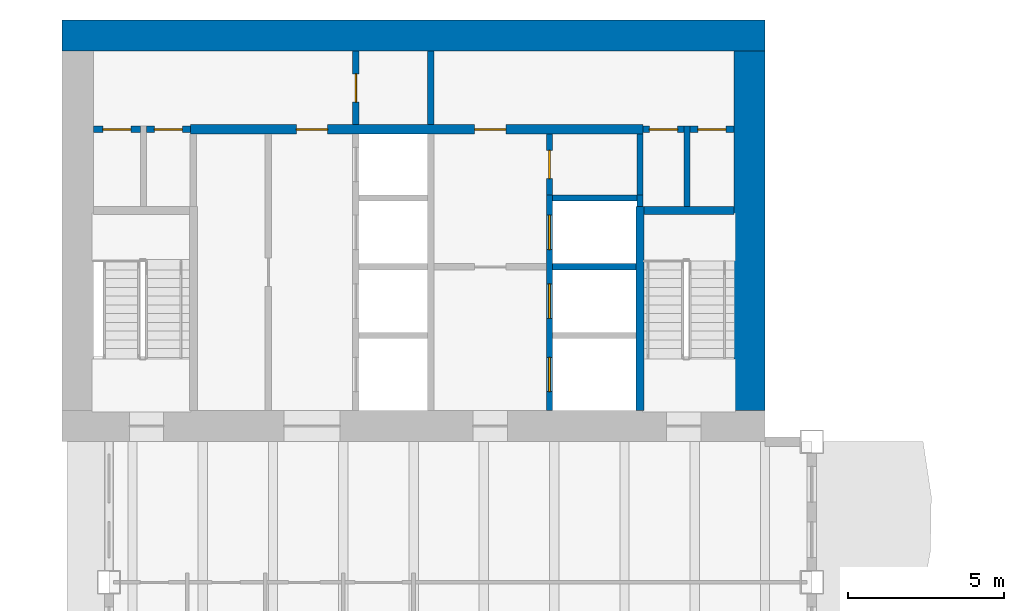
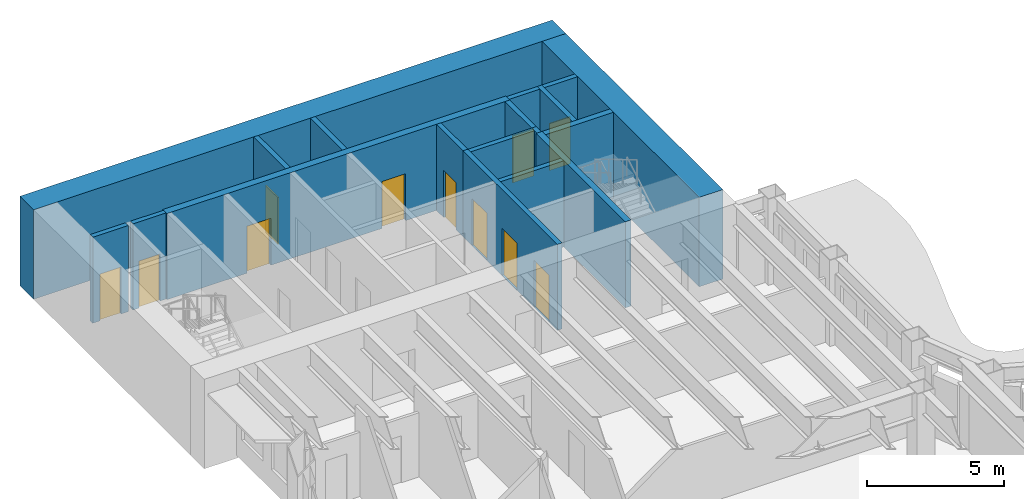
# One storey, part 9 of 16: 18 walls, 11 doors, 11 openings.
"""IFC4 building model written with IfcOpenShell, lengths in metres."""

from ifc_helpers import new_model, si_unit, direction, frame, frame_2d, origin, place, context, subcontext, project, spatial, rectangle, extrude, material, layer, layer_set, type_object, element, fill, save


model = new_model("IFC4")

# Units and contexts
model_context = context("Model", 3, precision=1e-05, world=origin(), true_north=direction((0.0, 1.0)))
body_context = subcontext(model_context, "Body", "Model", "MODEL_VIEW")
ifc_project = project(units=[si_unit("LENGTHUNIT", "METRE"), si_unit("AREAUNIT", "SQUARE_METRE"), si_unit("VOLUMEUNIT", "CUBIC_METRE"), si_unit("PLANEANGLEUNIT", "RADIAN"), si_unit("MASSUNIT", "GRAM", prefix="KILO")], contexts=[model_context])

# Site, building, storey
site_placement = place(None, origin())
site = spatial("IfcSite", under=ifc_project, at=site_placement, CompositionType="ELEMENT")
building_placement = place(site_placement, origin())
building = spatial("IfcBuilding", under=site, at=building_placement, Name="Sennacour Bend Tower", CompositionType="ELEMENT")
storey_placement = place(building_placement, frame((0.0, 0.0, 223.0)))
storey = spatial("IfcBuildingStorey", under=building, at=storey_placement, Name="L51", CompositionType="ELEMENT", Elevation=223.0)

# Walls
ifc_material_1 = material(Name="Concrete C60/75", Category="concrete")
ifc_layer_1 = layer(ifc_material_1, 1.0, Name="Concrete C60/75", Category="concrete")
ifc_layer_set_1 = layer_set([ifc_layer_1], Name="Concrete C60/75")
wall_type_1 = type_object("IfcWallType", Name="Core wall 1000 C60/75", PredefinedType="SHEAR", material=ifc_layer_set_1)
wall_1_placement = place(storey_placement, frame((0.0, 49.0, -0.14990234375), z_axis=(0.0, 0.0, 1.0), x_axis=(1.0, 0.0, 0.0)))
element("IfcWall", 1, at=wall_1_placement, inside=storey, type_object=wall_type_1, Name="Core B wall L51 N", PredefinedType="SHEAR", context=body_context, shape_type="SweptSolid", body=[
    extrude(rectangle(XDim=22.5, YDim=1.0, at=frame_2d((11.25, 0.0))), origin(), (0.0, 0.0, 1.0), 4.0),
])
wall_2_placement = place(storey_placement, frame((22.0, 37.0, -0.14990234375), z_axis=(0.0, 0.0, 1.0), x_axis=(0.0, 1.0, 0.0)))
element("IfcWall", 2, at=wall_2_placement, inside=storey, type_object=wall_type_1, Name="Core B wall L51 E", PredefinedType="SHEAR", context=body_context, shape_type="SweptSolid", body=[
    extrude(rectangle(XDim=11.5, YDim=1.0, at=frame_2d((5.75, 0.0))), origin(), (0.0, 0.0, 1.0), 4.0),
])

# Wall, opening, door
ifc_material_2 = material(Name="Fire-rated plasterboard partition on steel studs", Category="steel")
ifc_layer_2 = layer(ifc_material_2, 0.199951171875, Name="Fire-rated plasterboard partition on steel studs", Category="steel")
ifc_layer_set_2 = layer_set([ifc_layer_2], Name="Fire-rated plasterboard partition on steel studs")
wall_type_2 = type_object("IfcWallType", Name="Rated partition 200", PredefinedType="PARTITIONING", material=ifc_layer_set_2)
wall_3_placement = place(storey_placement, frame((9.39990234375, 46.14990234375, 0.0), z_axis=(0.0, 0.0, 1.0), x_axis=(0.0, 1.0, 0.0)))
wall_3 = element("IfcWall", 3, at=wall_3_placement, inside=storey, type_object=wall_type_2, Name="P-L51-W013", PredefinedType="PARTITIONING", context=body_context, shape_type="SweptSolid", body=[
    extrude(rectangle(XDim=2.35009765625, YDim=0.199951171875, at=frame_2d((1.175048828125, 0.0))), origin(), (0.0, 0.0, 1.0), 3.85009765625),
])
opening_1_placement = place(wall_3_placement, frame((0.72509765625, 0.0, 0.0)))
opening_1 = element("IfcOpeningElement", 4, at=opening_1_placement, cuts=wall_3, Name="Opening SV", PredefinedType="OPENING", context=body_context, shape_type="SweptSolid", body=[
    extrude(rectangle(XDim=0.89990234375, YDim=2.10009765625, at=frame_2d((0.449951171875, 1.050048828125))), frame((0.0, 0.10986328125, 0.0), z_axis=(0.0, -1.0, 0.0), x_axis=(1.0, 0.0, 0.0)), (0.0, 0.0, 1.0), 0.219970703125),
])
ifc_material_3 = material(Name="Painted steel", Category="steel")
door_type_1 = type_object("IfcDoorType", Name="DR-SERVICE-900", OperationType="NOTDEFINED", PredefinedType="DOOR", material=ifc_material_3)
door_1_placement = place(opening_1_placement, origin())
door_1 = element("IfcDoor", 5, at=door_1_placement, inside=storey, type_object=door_type_1, Name="Door", OperationType="SINGLE_SWING_RIGHT", OverallHeight=2.10009765625, OverallWidth=0.89990234375, PredefinedType="DOOR", context=body_context, shape_type="SweptSolid", body=[
    extrude(rectangle(XDim=0.89990234375, YDim=2.10009765625, at=frame_2d((0.449951171875, 1.050048828125))), frame((0.0, 0.02490234375, 0.0), z_axis=(0.0, -1.0, 0.0), x_axis=(1.0, 0.0, 0.0)), (0.0, 0.0, 1.0), 0.050048828125),
])
fill(opening_1, door_1)

# Wall
wall_4_placement = place(storey_placement, frame((11.800048828125, 46.14990234375, 0.0), z_axis=(0.0, 0.0, 1.0), x_axis=(0.0, 1.0, 0.0)))
element("IfcWall", 6, at=wall_4_placement, inside=storey, type_object=wall_type_2, Name="P-L51-W017", PredefinedType="PARTITIONING", context=body_context, shape_type="SweptSolid", body=[
    extrude(rectangle(XDim=2.35009765625, YDim=0.199951171875, at=frame_2d((1.175048828125, 0.0))), origin(), (0.0, 0.0, 1.0), 3.85009765625),
])

# Wall, opening, door
wall_5_placement = place(storey_placement, frame((15.60009765625, 43.89990234375, 0.0), z_axis=(0.0, 0.0, 1.0), x_axis=(0.0, 1.0, 0.0)))
wall_5 = element("IfcWall", 7, at=wall_5_placement, inside=storey, type_object=wall_type_2, Name="P-L51-W019", PredefinedType="PARTITIONING", context=body_context, shape_type="SweptSolid", body=[
    extrude(rectangle(XDim=1.9501953125, YDim=0.199951171875, at=frame_2d((0.97509765625, 0.0))), origin(), (0.0, 0.0, 1.0), 3.85009765625),
])
opening_2_placement = place(wall_5_placement, frame((0.525146484375, 0.0, 0.0)))
opening_2 = element("IfcOpeningElement", 8, at=opening_2_placement, cuts=wall_5, Name="Opening SV", PredefinedType="OPENING", context=body_context, shape_type="SweptSolid", body=[
    extrude(rectangle(XDim=0.89990234375, YDim=2.10009765625, at=frame_2d((0.449951171875, 1.050048828125))), frame((0.0, 0.10986328125, 0.0), z_axis=(0.0, -1.0, 0.0), x_axis=(1.0, 0.0, 0.0)), (0.0, 0.0, 1.0), 0.219970703125),
])
door_2_placement = place(opening_2_placement, origin())
door_2 = element("IfcDoor", 9, at=door_2_placement, inside=storey, type_object=door_type_1, Name="Door", OperationType="SINGLE_SWING_RIGHT", OverallHeight=2.10009765625, OverallWidth=0.89990234375, PredefinedType="DOOR", context=body_context, shape_type="SweptSolid", body=[
    extrude(rectangle(XDim=0.89990234375, YDim=2.10009765625, at=frame_2d((0.449951171875, 1.050048828125))), frame((0.0, 0.02490234375, 0.0), z_axis=(0.0, -1.0, 0.0), x_axis=(1.0, 0.0, 0.0)), (0.0, 0.0, 1.0), 0.050048828125),
])
fill(opening_2, door_2)

# Walls
wall_6_placement = place(storey_placement, frame((18.5, 43.89990234375, 0.0), z_axis=(0.0, 0.0, 1.0), x_axis=(0.0, 1.0, 0.0)))
element("IfcWall", 10, at=wall_6_placement, inside=storey, type_object=wall_type_2, Name="P-L51-W023", PredefinedType="PARTITIONING", context=body_context, shape_type="SweptSolid", body=[
    extrude(rectangle(XDim=1.9501953125, YDim=0.199951171875, at=frame_2d((0.97509765625, 0.0))), origin(), (0.0, 0.0, 1.0), 3.85009765625),
])
wall_7_placement = place(storey_placement, frame((20.0, 43.52490234375, 0.0), z_axis=(0.0, 0.0, 1.0), x_axis=(0.0, 1.0, 0.0)))
element("IfcWall", 11, at=wall_7_placement, inside=storey, type_object=wall_type_2, Name="P-L51-W024", PredefinedType="PARTITIONING", context=body_context, shape_type="SweptSolid", body=[
    extrude(rectangle(XDim=2.5751953125, YDim=0.199951171875, at=frame_2d((1.28759765625, 0.0))), origin(), (0.0, 0.0, 1.0), 3.85009765625),
])

# Wall, opening, door
wall_8_placement = place(storey_placement, frame((1.0, 46.0, 0.0), z_axis=(0.0, 0.0, 1.0), x_axis=(1.0, 0.0, 0.0)))
wall_8 = element("IfcWall", 12, at=wall_8_placement, inside=storey, type_object=wall_type_2, Name="P-L51-W095a", PredefinedType="PARTITIONING", context=body_context, shape_type="SweptSolid", body=[
    extrude(rectangle(XDim=1.5, YDim=0.199951171875, at=frame_2d((0.75, 0.0))), origin(), (0.0, 0.0, 1.0), 3.85009765625),
])
opening_3_placement = place(wall_8_placement, frame((0.300048828125, 0.0, 0.0)))
opening_3 = element("IfcOpeningElement", 13, at=opening_3_placement, cuts=wall_8, Name="Opening SV", PredefinedType="OPENING", context=body_context, shape_type="SweptSolid", body=[
    extrude(rectangle(XDim=0.89990234375, YDim=2.10009765625, at=frame_2d((0.449951171875, 1.050048828125))), frame((0.0, 0.10986328125, 0.0), z_axis=(0.0, -1.0, 0.0), x_axis=(1.0, 0.0, 0.0)), (0.0, 0.0, 1.0), 0.219970703125),
])
door_3_placement = place(opening_3_placement, origin())
door_3 = element("IfcDoor", 14, at=door_3_placement, inside=storey, type_object=door_type_1, Name="Door", OperationType="SINGLE_SWING_LEFT", OverallHeight=2.10009765625, OverallWidth=0.89990234375, PredefinedType="DOOR", context=body_context, shape_type="SweptSolid", body=[
    extrude(rectangle(XDim=0.89990234375, YDim=2.10009765625, at=frame_2d((0.449951171875, 1.050048828125))), frame((0.0, 0.02490234375, 0.0), z_axis=(0.0, -1.0, 0.0), x_axis=(1.0, 0.0, 0.0)), (0.0, 0.0, 1.0), 0.050048828125),
])
fill(opening_3, door_3)

wall_9_placement = place(storey_placement, frame((2.699951171875, 46.0, 0.0), z_axis=(0.0, 0.0, 1.0), x_axis=(1.0, 0.0, 0.0)))
wall_9 = element("IfcWall", 15, at=wall_9_placement, inside=storey, type_object=wall_type_2, Name="P-L51-W095b", PredefinedType="PARTITIONING", context=body_context, shape_type="SweptSolid", body=[
    extrude(rectangle(XDim=1.400146484375, YDim=0.199951171875, at=frame_2d((0.7001953125, 0.0))), origin(), (0.0, 0.0, 1.0), 3.85009765625),
])
opening_4_placement = place(wall_9_placement, frame((0.25, 0.0, 0.0)))
opening_4 = element("IfcOpeningElement", 16, at=opening_4_placement, cuts=wall_9, Name="Opening WD", PredefinedType="OPENING", context=body_context, shape_type="SweptSolid", body=[
    extrude(rectangle(XDim=0.89990234375, YDim=2.10009765625, at=frame_2d((0.449951171875, 1.050048828125))), frame((0.0, 0.10986328125, 0.0), z_axis=(0.0, -1.0, 0.0), x_axis=(1.0, 0.0, 0.0)), (0.0, 0.0, 1.0), 0.219970703125),
])
ifc_material_4 = material(Name="Timber", Category="wood")
door_type_2 = type_object("IfcDoorType", Name="DR-WC-900", OperationType="NOTDEFINED", PredefinedType="DOOR", material=ifc_material_4)
door_4_placement = place(opening_4_placement, origin())
door_4 = element("IfcDoor", 17, at=door_4_placement, inside=storey, type_object=door_type_2, Name="Door", OperationType="SINGLE_SWING_LEFT", OverallHeight=2.10009765625, OverallWidth=0.89990234375, PredefinedType="DOOR", context=body_context, shape_type="SweptSolid", body=[
    extrude(rectangle(XDim=0.89990234375, YDim=2.10009765625, at=frame_2d((0.449951171875, 1.050048828125))), frame((0.0, 0.02490234375, 0.0), z_axis=(0.0, -1.0, 0.0), x_axis=(1.0, 0.0, 0.0)), (0.0, 0.0, 1.0), 0.050048828125),
])
fill(opening_4, door_4)

wall_10_placement = place(storey_placement, frame((18.60009765625, 46.0, 0.0), z_axis=(0.0, 0.0, 1.0), x_axis=(1.0, 0.0, 0.0)))
wall_10 = element("IfcWall", 18, at=wall_10_placement, inside=storey, type_object=wall_type_2, Name="P-L51-W097a", PredefinedType="PARTITIONING", context=body_context, shape_type="SweptSolid", body=[
    extrude(rectangle(XDim=1.2998046875, YDim=0.199951171875, at=frame_2d((0.64990234375, 0.0))), origin(), (0.0, 0.0, 1.0), 3.85009765625),
])
opening_5_placement = place(wall_10_placement, frame((0.199951171875, 0.0, 0.0)))
opening_5 = element("IfcOpeningElement", 19, at=opening_5_placement, cuts=wall_10, Name="Opening SV", PredefinedType="OPENING", context=body_context, shape_type="SweptSolid", body=[
    extrude(rectangle(XDim=0.89990234375, YDim=2.10009765625, at=frame_2d((0.449951171875, 1.050048828125))), frame((0.0, 0.10986328125, 0.0), z_axis=(0.0, -1.0, 0.0), x_axis=(1.0, 0.0, 0.0)), (0.0, 0.0, 1.0), 0.219970703125),
])
door_5_placement = place(opening_5_placement, origin())
door_5 = element("IfcDoor", 20, at=door_5_placement, inside=storey, type_object=door_type_1, Name="Door", OperationType="SINGLE_SWING_LEFT", OverallHeight=2.10009765625, OverallWidth=0.89990234375, PredefinedType="DOOR", context=body_context, shape_type="SweptSolid", body=[
    extrude(rectangle(XDim=0.89990234375, YDim=2.10009765625, at=frame_2d((0.449951171875, 1.050048828125))), frame((0.0, 0.02490234375, 0.0), z_axis=(0.0, -1.0, 0.0), x_axis=(1.0, 0.0, 0.0)), (0.0, 0.0, 1.0), 0.050048828125),
])
fill(opening_5, door_5)

wall_11_placement = place(storey_placement, frame((20.10009765625, 46.0, 0.0), z_axis=(0.0, 0.0, 1.0), x_axis=(1.0, 0.0, 0.0)))
wall_11 = element("IfcWall", 21, at=wall_11_placement, inside=storey, type_object=wall_type_2, Name="P-L51-W097b", PredefinedType="PARTITIONING", context=body_context, shape_type="SweptSolid", body=[
    extrude(rectangle(XDim=1.39990234375, YDim=0.199951171875, at=frame_2d((0.699951171875, 0.0))), origin(), (0.0, 0.0, 1.0), 3.85009765625),
])
opening_6_placement = place(wall_11_placement, frame((0.25, 0.0, 0.0)))
opening_6 = element("IfcOpeningElement", 22, at=opening_6_placement, cuts=wall_11, Name="Opening SV", PredefinedType="OPENING", context=body_context, shape_type="SweptSolid", body=[
    extrude(rectangle(XDim=0.89990234375, YDim=2.10009765625, at=frame_2d((0.449951171875, 1.050048828125))), frame((0.0, 0.10986328125, 0.0), z_axis=(0.0, -1.0, 0.0), x_axis=(1.0, 0.0, 0.0)), (0.0, 0.0, 1.0), 0.219970703125),
])
door_6_placement = place(opening_6_placement, origin())
door_6 = element("IfcDoor", 23, at=door_6_placement, inside=storey, type_object=door_type_1, Name="Door", OperationType="SINGLE_SWING_LEFT", OverallHeight=2.10009765625, OverallWidth=0.89990234375, PredefinedType="DOOR", context=body_context, shape_type="SweptSolid", body=[
    extrude(rectangle(XDim=0.89990234375, YDim=2.10009765625, at=frame_2d((0.449951171875, 1.050048828125))), frame((0.0, 0.02490234375, 0.0), z_axis=(0.0, -1.0, 0.0), x_axis=(1.0, 0.0, 0.0)), (0.0, 0.0, 1.0), 0.050048828125),
])
fill(opening_6, door_6)

# Wall, openings, doors
ifc_material_5 = material(Name="Concrete C50/60", Category="concrete")
ifc_layer_3 = layer(ifc_material_5, 0.199951171875, Name="Concrete C50/60", Category="concrete")
ifc_layer_set_3 = layer_set([ifc_layer_3], Name="Concrete C50/60")
wall_type_3 = type_object("IfcWallType", Name="Shaft wall 200", PredefinedType="SOLIDWALL", material=ifc_layer_set_3)
wall_12_placement = place(storey_placement, frame((15.60009765625, 37.0, 0.0), z_axis=(0.0, 0.0, 1.0), x_axis=(0.0, 1.0, 0.0)))
wall_12 = element("IfcWall", 24, at=wall_12_placement, inside=storey, type_object=wall_type_3, Name="P-L51-W018", PredefinedType="SOLIDWALL", context=body_context, shape_type="SweptSolid", body=[
    extrude(rectangle(XDim=6.89990234375, YDim=0.199951171875, at=frame_2d((3.449951171875, 0.0))), origin(), (0.0, 0.0, 1.0), 3.85009765625),
])
opening_7_placement = place(wall_12_placement, frame((0.60009765625, 0.0, 0.011962890625)))
opening_7 = element("IfcOpeningElement", 25, at=opening_7_placement, cuts=wall_12, Name="Opening FLD", PredefinedType="OPENING", context=body_context, shape_type="SweptSolid", body=[
    extrude(rectangle(XDim=1.10009765625, YDim=2.10009765625, at=frame_2d((0.550048828125, 1.050048828125))), frame((0.0, 0.10986328125, 0.0), z_axis=(0.0, -1.0, 0.0), x_axis=(1.0, 0.0, 0.0)), (0.0, 0.0, 1.0), 0.219970703125),
])
opening_8_placement = place(wall_12_placement, frame((2.949951171875, 0.0, 0.011962890625)))
opening_8 = element("IfcOpeningElement", 26, at=opening_8_placement, cuts=wall_12, Name="Opening FLD", PredefinedType="OPENING", context=body_context, shape_type="SweptSolid", body=[
    extrude(rectangle(XDim=1.10009765625, YDim=2.10009765625, at=frame_2d((0.550048828125, 1.050048828125))), frame((0.0, 0.10986328125, 0.0), z_axis=(0.0, -1.0, 0.0), x_axis=(1.0, 0.0, 0.0)), (0.0, 0.0, 1.0), 0.219970703125),
])
opening_9_placement = place(wall_12_placement, frame((5.14990234375, 0.0, 0.011962890625)))
opening_9 = element("IfcOpeningElement", 27, at=opening_9_placement, cuts=wall_12, Name="Opening LD", PredefinedType="OPENING", context=body_context, shape_type="SweptSolid", body=[
    extrude(rectangle(XDim=1.10009765625, YDim=2.10009765625, at=frame_2d((0.550048828125, 1.050048828125))), frame((0.0, 0.10986328125, 0.0), z_axis=(0.0, -1.0, 0.0), x_axis=(1.0, 0.0, 0.0)), (0.0, 0.0, 1.0), 0.219970703125),
])
ifc_material_6 = material(Name="Stainless steel", Category="steel")
door_type_3 = type_object("IfcDoorType", Name="DR-FF-LANDING-1100", OperationType="NOTDEFINED", PredefinedType="DOOR", material=ifc_material_6)
door_7_placement = place(opening_7_placement, origin())
door_7 = element("IfcDoor", 28, at=door_7_placement, inside=storey, type_object=door_type_3, Name="Fire service lift landing door FB1", OperationType="SLIDING_TO_RIGHT", OverallHeight=2.10009765625, OverallWidth=1.10009765625, PredefinedType="DOOR", context=body_context, shape_type="SweptSolid", body=[
    extrude(rectangle(XDim=1.10009765625, YDim=2.10009765625, at=frame_2d((0.550048828125, 1.050048828125))), frame((0.0, 0.02490234375, 0.0), z_axis=(0.0, -1.0, 0.0), x_axis=(1.0, 0.0, 0.0)), (0.0, 0.0, 1.0), 0.050048828125),
])
fill(opening_7, door_7)
door_8_placement = place(opening_8_placement, origin())
door_8 = element("IfcDoor", 29, at=door_8_placement, inside=storey, type_object=door_type_3, Name="Fire service lift landing door FB2", OperationType="SLIDING_TO_LEFT", OverallHeight=2.10009765625, OverallWidth=1.10009765625, PredefinedType="DOOR", context=body_context, shape_type="SweptSolid", body=[
    extrude(rectangle(XDim=1.10009765625, YDim=2.10009765625, at=frame_2d((0.550048828125, 1.050048828125))), frame((0.0, 0.02490234375, 0.0), z_axis=(0.0, -1.0, 0.0), x_axis=(1.0, 0.0, 0.0)), (0.0, 0.0, 1.0), 0.050048828125),
])
fill(opening_8, door_8)
door_type_4 = type_object("IfcDoorType", Name="DR-LANDING-1100", OperationType="NOTDEFINED", PredefinedType="DOOR", material=ifc_material_6)
door_9_placement = place(opening_9_placement, origin())
door_9 = element("IfcDoor", 30, at=door_9_placement, inside=storey, type_object=door_type_4, Name="Lift landing door MB5", OperationType="SLIDING_TO_RIGHT", OverallHeight=2.10009765625, OverallWidth=1.10009765625, PredefinedType="DOOR", context=body_context, shape_type="SweptSolid", body=[
    extrude(rectangle(XDim=1.10009765625, YDim=2.10009765625, at=frame_2d((0.550048828125, 1.050048828125))), frame((0.0, 0.02490234375, 0.0), z_axis=(0.0, -1.0, 0.0), x_axis=(1.0, 0.0, 0.0)), (0.0, 0.0, 1.0), 0.050048828125),
])
fill(opening_9, door_9)

# Walls
wall_13_placement = place(storey_placement, frame((18.5, 43.52490234375, 0.0), z_axis=(0.0, 0.0, 1.0), x_axis=(0.0, 1.0, 0.0)))
element("IfcWall", 31, at=wall_13_placement, inside=storey, type_object=wall_type_3, Name="P-L51-W022", PredefinedType="SOLIDWALL", context=body_context, shape_type="SweptSolid", body=[
    extrude(rectangle(XDim=0.375, YDim=0.199951171875, at=frame_2d((0.1875, 0.0))), origin(), (0.0, 0.0, 1.0), 3.85009765625),
])
wall_14_placement = place(storey_placement, frame((15.699951171875, 41.60009765625, 0.0), z_axis=(0.0, 0.0, 1.0), x_axis=(1.0, 0.0, 0.0)))
element("IfcWall", 32, at=wall_14_placement, inside=storey, type_object=wall_type_3, Name="P-L51-W090", PredefinedType="SOLIDWALL", context=body_context, shape_type="SweptSolid", body=[
    extrude(rectangle(XDim=2.675048828125, YDim=0.199951171875, at=frame_2d((1.33740234375, 0.0))), origin(), (0.0, 0.0, 1.0), 3.85009765625),
])
wall_15_placement = place(storey_placement, frame((15.699951171875, 43.800048828125, 0.0), z_axis=(0.0, 0.0, 1.0), x_axis=(1.0, 0.0, 0.0)))
element("IfcWall", 33, at=wall_15_placement, inside=storey, type_object=wall_type_3, Name="P-L51-W094", PredefinedType="SOLIDWALL", context=body_context, shape_type="SweptSolid", body=[
    extrude(rectangle(XDim=2.699951171875, YDim=0.199951171875, at=frame_2d((1.35009765625, 0.0))), origin(), (0.0, 0.0, 1.0), 3.85009765625),
])

# Wall, openings, doors
ifc_layer_4 = layer(ifc_material_1, 0.300048828125, Name="Concrete C60/75", Category="concrete")
ifc_layer_set_4 = layer_set([ifc_layer_4], Name="Concrete C60/75")
wall_type_4 = type_object("IfcWallType", Name="Spine wall 300", PredefinedType="SHEAR", material=ifc_layer_set_4)
wall_16_placement = place(storey_placement, frame((4.10009765625, 46.0, 0.0), z_axis=(0.0, 0.0, 1.0), x_axis=(1.0, 0.0, 0.0)))
wall_16 = element("IfcWall", 34, at=wall_16_placement, inside=storey, type_object=wall_type_4, Name="P-L51-W096", PredefinedType="SHEAR", context=body_context, shape_type="SweptSolid", body=[
    extrude(rectangle(XDim=14.5, YDim=0.300048828125, at=frame_2d((7.25, 0.0))), origin(), (0.0, 0.0, 1.0), 3.85009765625),
])
opening_10_placement = place(wall_16_placement, frame((3.39990234375, 0.0, 0.0)))
opening_10 = element("IfcOpeningElement", 35, at=opening_10_placement, cuts=wall_16, Name="Opening CD2", PredefinedType="OPENING", context=body_context, shape_type="SweptSolid", body=[
    extrude(rectangle(XDim=1.0, YDim=2.10009765625, at=frame_2d((0.5, 1.050048828125))), frame((0.0, 0.16015625, 0.0), z_axis=(0.0, -1.0, 0.0), x_axis=(1.0, 0.0, 0.0)), (0.0, 0.0, 1.0), 0.320068359375),
])
opening_11_placement = place(wall_16_placement, frame((9.099853515625, 0.0, 0.0)))
opening_11 = element("IfcOpeningElement", 36, at=opening_11_placement, cuts=wall_16, Name="Opening CD2", PredefinedType="OPENING", context=body_context, shape_type="SweptSolid", body=[
    extrude(rectangle(XDim=1.0, YDim=2.10009765625, at=frame_2d((0.5, 1.050048828125))), frame((0.0, 0.16015625, 0.0), z_axis=(0.0, -1.0, 0.0), x_axis=(1.0, 0.0, 0.0)), (0.0, 0.0, 1.0), 0.320068359375),
])
door_type_5 = type_object("IfcDoorType", Name="DR-LOBBY-1000", OperationType="NOTDEFINED", PredefinedType="DOOR", material=ifc_material_3)
door_10_placement = place(opening_10_placement, origin())
door_10 = element("IfcDoor", 37, at=door_10_placement, inside=storey, type_object=door_type_5, Name="Door", OperationType="SINGLE_SWING_LEFT", OverallHeight=2.10009765625, OverallWidth=1.0, PredefinedType="DOOR", context=body_context, shape_type="SweptSolid", body=[
    extrude(rectangle(XDim=1.0, YDim=2.10009765625, at=frame_2d((0.5, 1.050048828125))), frame((0.0, 0.02490234375, 0.0), z_axis=(0.0, -1.0, 0.0), x_axis=(1.0, 0.0, 0.0)), (0.0, 0.0, 1.0), 0.050048828125),
])
fill(opening_10, door_10)
door_11_placement = place(opening_11_placement, origin())
door_11 = element("IfcDoor", 38, at=door_11_placement, inside=storey, type_object=door_type_5, Name="Door", OperationType="SINGLE_SWING_RIGHT", OverallHeight=2.10009765625, OverallWidth=1.0, PredefinedType="DOOR", context=body_context, shape_type="SweptSolid", body=[
    extrude(rectangle(XDim=1.0, YDim=2.10009765625, at=frame_2d((0.5, 1.050048828125))), frame((0.0, 0.02490234375, 0.0), z_axis=(0.0, -1.0, 0.0), x_axis=(1.0, 0.0, 0.0)), (0.0, 0.0, 1.0), 0.050048828125),
])
fill(opening_11, door_11)

# Walls
ifc_layer_5 = layer(ifc_material_1, 0.25, Name="Concrete C60/75", Category="concrete")
ifc_layer_set_5 = layer_set([ifc_layer_5], Name="Concrete C60/75")
wall_type_5 = type_object("IfcWallType", Name="Stair wall 250", PredefinedType="SHEAR", material=ifc_layer_set_5)
wall_17_placement = place(storey_placement, frame((18.5, 37.0, 0.0), z_axis=(0.0, 0.0, 1.0), x_axis=(0.0, 1.0, 0.0)))
element("IfcWall", 39, at=wall_17_placement, inside=storey, type_object=wall_type_5, Name="P-L51-W021", PredefinedType="SHEAR", context=body_context, shape_type="SweptSolid", body=[
    extrude(rectangle(XDim=6.52490234375, YDim=0.25, at=frame_2d((3.262451171875, 0.0))), origin(), (0.0, 0.0, 1.0), 3.85009765625),
])
wall_18_placement = place(storey_placement, frame((18.625, 43.39990234375, 0.0), z_axis=(0.0, 0.0, 1.0), x_axis=(1.0, 0.0, 0.0)))
element("IfcWall", 40, at=wall_18_placement, inside=storey, type_object=wall_type_5, Name="P-L51-W092", PredefinedType="SHEAR", context=body_context, shape_type="SweptSolid", body=[
    extrude(rectangle(XDim=2.875, YDim=0.25, at=frame_2d((1.4375, 0.0))), origin(), (0.0, 0.0, 1.0), 3.85009765625),
])

save(model, "model.ifc")
